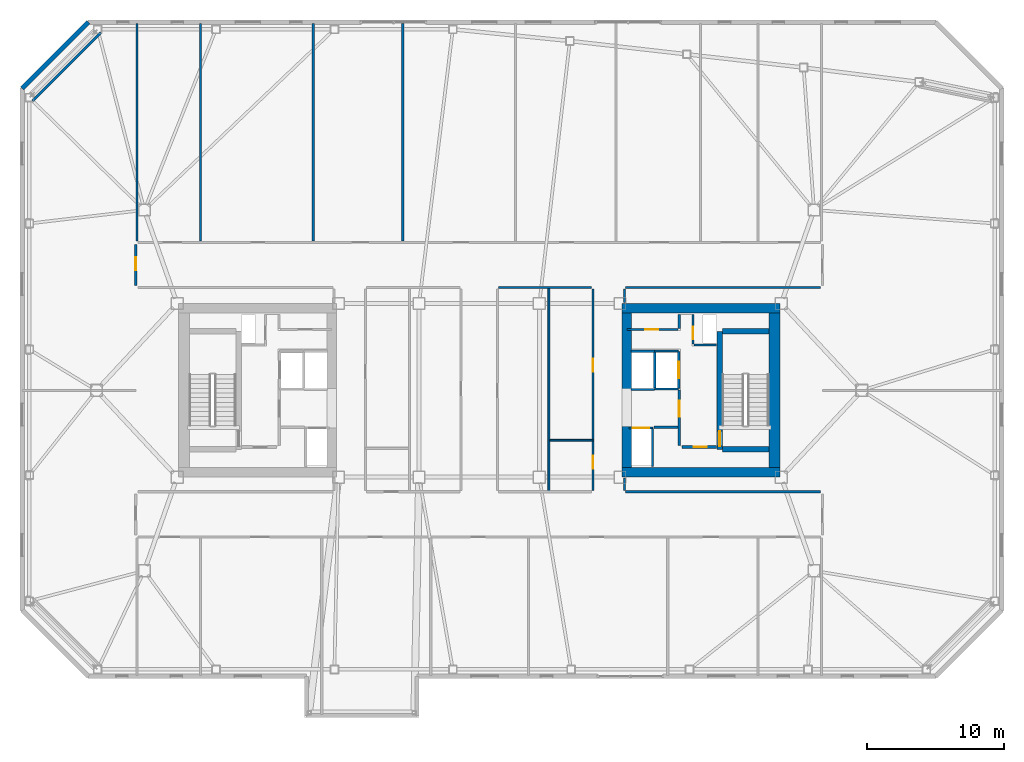
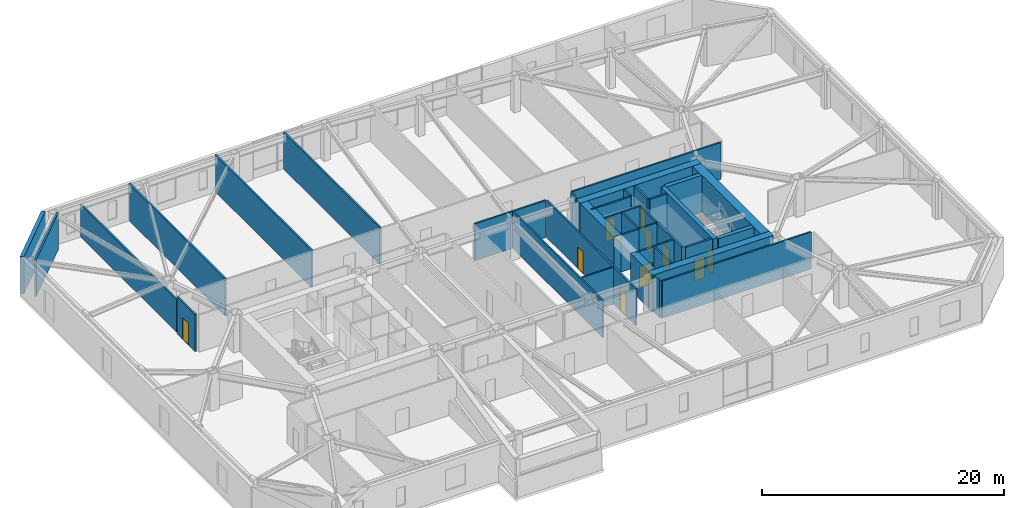
# One storey, part 11 of 17: 38 walls, 10 doors, 10 openings.
"""IFC4 building model written with IfcOpenShell, lengths in metres."""

from ifc_helpers import new_model, si_unit, direction, frame, frame_2d, origin, place, context, subcontext, project, spatial, rectangle, extrude, material, layer, layer_set, type_object, element, fill, save


model = new_model("IFC4")

# Units and contexts
model_context = context("Model", 3, precision=1e-05, world=origin(), true_north=direction((0.0, 1.0)))
body_context = subcontext(model_context, "Body", "Model", "MODEL_VIEW")
ifc_project = project(units=[si_unit("LENGTHUNIT", "METRE"), si_unit("AREAUNIT", "SQUARE_METRE"), si_unit("VOLUMEUNIT", "CUBIC_METRE"), si_unit("PLANEANGLEUNIT", "RADIAN"), si_unit("MASSUNIT", "GRAM", prefix="KILO")], contexts=[model_context])

# Site, building, storey
site_placement = place(None, origin())
site = spatial("IfcSite", under=ifc_project, at=site_placement, CompositionType="ELEMENT")
building_placement = place(site_placement, origin())
building = spatial("IfcBuilding", under=site, at=building_placement, Name="Tavrogorsk Clinical Tower", CompositionType="ELEMENT")
storey_placement = place(building_placement, frame((0.0, 0.0, 160.199951171875)))
storey = spatial("IfcBuildingStorey", under=building, at=storey_placement, Name="L36", CompositionType="ELEMENT", Elevation=160.199951171875)

# Wall, opening, door
ifc_material_1 = material(Name="Concrete B60", Category="concrete")
ifc_layer_1 = layer(ifc_material_1, 0.199951171875)
ifc_layer_set_1 = layer_set([ifc_layer_1], Name="Concrete B60")
wall_type_1 = type_object("IfcWallType", Name="CoreFireWall_200", PredefinedType="SOLIDWALL", material=ifc_layer_set_1)
wall_1_placement = place(storey_placement, frame((14.824951171875, -4.139892578125, 0.0), z_axis=(0.0, 0.0, 1.0), x_axis=(1.0, 0.0, 0.0)))
wall_1 = element("IfcWall", 1, at=wall_1_placement, inside=storey, type_object=wall_type_1, Name="L36 Core East South Core Room Fire Wall", PredefinedType="SOLIDWALL", context=body_context, shape_type="SweptSolid", body=[
    extrude(rectangle(XDim=2.554931640625, YDim=0.199951171875, at=frame_2d((1.27734375, 0.0))), origin(), (0.0, 0.0, 1.0), 3.739990234375),
])
opening_1_placement = place(wall_1_placement, frame((0.8798828125, 0.0, 0.0)))
opening_1 = element("IfcOpeningElement", 2, at=opening_1_placement, cuts=wall_1, Name="Opening ID-02", PredefinedType="OPENING", context=body_context, shape_type="SweptSolid", body=[
    extrude(rectangle(XDim=0.949951171875, YDim=2.199951171875, at=frame_2d((0.47509765625, 1.10009765625))), frame((0.0, 0.10986328125, 0.0), z_axis=(0.0, -1.0, 0.0), x_axis=(1.0, 0.0, 0.0)), (0.0, 0.0, 1.0), 0.219970703125),
])
ifc_material_2 = material(Name="Laminated timber leaf on aluminium frame", Category="wood")
door_type_1 = type_object("IfcDoorType", Name="InteriorDoor_ID02_950", OperationType="NOTDEFINED", PredefinedType="DOOR", material=ifc_material_2)
door_1_placement = place(opening_1_placement, origin())
door_1 = element("IfcDoor", 3, at=door_1_placement, inside=storey, type_object=door_type_1, Name="L36 Core East South Core Room Door", OperationType="SINGLE_SWING_RIGHT", OverallHeight=2.199951171875, OverallWidth=0.949951171875, PredefinedType="DOOR", context=body_context, shape_type="SweptSolid", body=[
    extrude(rectangle(XDim=0.949951171875, YDim=2.199951171875, at=frame_2d((0.47509765625, 1.10009765625))), frame((0.0, 0.02490234375, 0.0), z_axis=(0.0, -1.0, 0.0), x_axis=(1.0, 0.0, 0.0)), (0.0, 0.0, 1.0), 0.050048828125),
])
fill(opening_1, door_1)

wall_2_placement = place(storey_placement, frame((14.639892578125, -4.034912109375, 0.0), z_axis=(0.0, 0.0, 1.0), x_axis=(0.0, 1.0, 0.0)))
wall_2 = element("IfcWall", 4, at=wall_2_placement, inside=storey, type_object=wall_type_1, Name="L36 Core East Firefighting Lobby Fire Wall", PredefinedType="SOLIDWALL", context=body_context, shape_type="SweptSolid", body=[
    extrude(rectangle(XDim=4.074951171875, YDim=0.199951171875, at=frame_2d((2.03759765625, 0.0))), origin(), (0.0, 0.0, 1.0), 3.739990234375),
])
opening_2_placement = place(wall_2_placement, frame((2.090087890625, 0.0, 0.0)))
opening_2 = element("IfcOpeningElement", 5, at=opening_2_placement, cuts=wall_2, Name="Opening FD-01", PredefinedType="OPENING", context=body_context, shape_type="SweptSolid", body=[
    extrude(rectangle(XDim=1.199951171875, YDim=2.199951171875, at=frame_2d((0.60009765625, 1.10009765625))), frame((0.0, 0.10986328125, 0.0), z_axis=(0.0, -1.0, 0.0), x_axis=(1.0, 0.0, 0.0)), (0.0, 0.0, 1.0), 0.219970703125),
])
ifc_material_3 = material(Name="Galvanised steel fire-rated door assembly", Category="steel")
door_type_2 = type_object("IfcDoorType", Name="FireDoor_FD01_1200", OperationType="NOTDEFINED", PredefinedType="DOOR", material=ifc_material_3)
door_2_placement = place(opening_2_placement, origin())
door_2 = element("IfcDoor", 6, at=door_2_placement, inside=storey, type_object=door_type_2, Name="L36 Core East Firefighting Lobby Entry Door", OperationType="SINGLE_SWING_RIGHT", OverallHeight=2.199951171875, OverallWidth=1.199951171875, PredefinedType="DOOR", context=body_context, shape_type="SweptSolid", body=[
    extrude(rectangle(XDim=1.199951171875, YDim=2.199951171875, at=frame_2d((0.60009765625, 1.10009765625))), frame((0.0, 0.02490234375, 0.0), z_axis=(0.0, -1.0, 0.0), x_axis=(1.0, 0.0, 0.0)), (0.0, 0.0, 1.0), 0.050048828125),
])
fill(opening_2, door_2)

# Walls
ifc_material_4 = material(Name="Lightweight concrete blockwork B15", Category="masonry")
ifc_layer_2 = layer(ifc_material_4, 0.139892578125)
ifc_layer_set_2 = layer_set([ifc_layer_2], Name="Lightweight concrete blockwork B15")
wall_type_2 = type_object("IfcWallType", Name="PartitionWall_140", PredefinedType="PARTITIONING", material=ifc_layer_set_2)
wall_3_placement = place(storey_placement, frame((5.10009765625, -7.4150390625, 0.0), z_axis=(0.0, 0.0, 1.0), x_axis=(0.0, 1.0, 0.0)))
element("IfcWall", 7, at=wall_3_placement, inside=storey, type_object=wall_type_2, Name="L36 Central Spine Partition 2", PredefinedType="PARTITIONING", context=body_context, shape_type="SweptSolid", body=[
    extrude(rectangle(XDim=14.929931640625, YDim=0.139892578125, at=frame_2d((7.46484375, 0.0))), origin(), (0.0, 0.0, 1.0), 3.739990234375),
])
wall_4_placement = place(storey_placement, frame((5.175048828125, -3.64990234375, 0.0), z_axis=(0.0, 0.0, 1.0), x_axis=(1.0, 0.0, 0.0)))
element("IfcWall", 8, at=wall_4_placement, inside=storey, type_object=wall_type_2, Name="L36 Central Spine Partition 4", PredefinedType="PARTITIONING", context=body_context, shape_type="SweptSolid", body=[
    extrude(rectangle(XDim=3.139892578125, YDim=0.139892578125, at=frame_2d((1.56982421875, 0.0))), origin(), (0.0, 0.0, 1.0), 3.739990234375),
])
ifc_material_5 = material(Name="Lightweight concrete blockwork B15", Category="masonry")
ifc_layer_3 = layer(ifc_material_5, 0.159912109375)
ifc_layer_set_3 = layer_set([ifc_layer_3], Name="Lightweight concrete blockwork B15")
wall_type_3 = type_object("IfcWallType", Name="PartitionWall_160", PredefinedType="PARTITIONING", material=ifc_layer_set_3)
wall_5_placement = place(storey_placement, frame((12.77490234375, -2.699951171875, 0.0), z_axis=(0.0, 0.0, 1.0), x_axis=(1.0, 0.0, 0.0)))
element("IfcWall", 9, at=wall_5_placement, inside=storey, type_object=wall_type_3, Name="L36 Core East Freed Low-Bank North Partition", PredefinedType="PARTITIONING", context=body_context, shape_type="SweptSolid", body=[
    extrude(rectangle(XDim=1.760009765625, YDim=0.159912109375, at=frame_2d((0.8798828125, 0.0))), origin(), (0.0, 0.0, 1.0), 3.739990234375),
])

# Wall, opening, door
wall_6_placement = place(storey_placement, frame((10.800048828125, 4.4599609375, 0.0), z_axis=(0.0, 0.0, 1.0), x_axis=(1.0, 0.0, 0.0)))
wall_6 = element("IfcWall", 10, at=wall_6_placement, inside=storey, type_object=wall_type_3, Name="L36 Core East Pneumatic Dispatch South Wall", PredefinedType="PARTITIONING", context=body_context, shape_type="SweptSolid", body=[
    extrude(rectangle(XDim=3.7548828125, YDim=0.159912109375, at=frame_2d((1.87744140625, 0.0))), origin(), (0.0, 0.0, 1.0), 3.739990234375),
])
opening_3_placement = place(wall_6_placement, frame((1.35009765625, 0.0, 0.0)))
opening_3 = element("IfcOpeningElement", 11, at=opening_3_placement, cuts=wall_6, Name="Opening ID-02", PredefinedType="OPENING", context=body_context, shape_type="SweptSolid", body=[
    extrude(rectangle(XDim=0.949951171875, YDim=2.199951171875, at=frame_2d((0.47509765625, 1.10009765625))), frame((0.0, 0.08984375, 0.0), z_axis=(0.0, -1.0, 0.0), x_axis=(1.0, 0.0, 0.0)), (0.0, 0.0, 1.0), 0.179931640625),
])
door_3_placement = place(opening_3_placement, origin())
door_3 = element("IfcDoor", 12, at=door_3_placement, inside=storey, type_object=door_type_1, Name="L36 Core East Pneumatic Dispatch Door", OperationType="SINGLE_SWING_LEFT", OverallHeight=2.199951171875, OverallWidth=0.949951171875, PredefinedType="DOOR", context=body_context, shape_type="SweptSolid", body=[
    extrude(rectangle(XDim=0.949951171875, YDim=2.199951171875, at=frame_2d((0.47509765625, 1.10009765625))), frame((0.0, 0.02490234375, 0.0), z_axis=(0.0, -1.0, 0.0), x_axis=(1.0, 0.0, 0.0)), (0.0, 0.0, 1.0), 0.050048828125),
])
fill(opening_3, door_3)

# Walls
wall_7_placement = place(storey_placement, frame((14.639892578125, 4.544921875, 0.0), z_axis=(0.0, 0.0, 1.0), x_axis=(0.0, 1.0, 0.0)))
element("IfcWall", 13, at=wall_7_placement, inside=storey, type_object=wall_type_3, Name="L36 Core East Pneumatic Dispatch East Wall", PredefinedType="PARTITIONING", context=body_context, shape_type="SweptSolid", body=[
    extrude(rectangle(XDim=1.01513671875, YDim=0.159912109375, at=frame_2d((0.507568359375, 0.0))), origin(), (0.0, 0.0, 1.0), 3.739990234375),
])
wall_8_placement = place(storey_placement, frame((-27.6796875, 26.1796875, 0.0), z_axis=(0.0, 0.0, 1.0), x_axis=(-0.707106781187, -0.707106781187, 0.0)))
element("IfcWall", 14, at=wall_8_placement, inside=storey, type_object=wall_type_3, Name="L36 Corner Exoskeleton Brace Furring Wall 3", PredefinedType="PARTITIONING", context=body_context, shape_type="SweptSolid", body=[
    extrude(rectangle(XDim=7.071044921875, YDim=0.159912109375, at=frame_2d((3.53564453125, 0.0))), origin(), (0.0, 0.0, 1.0), 3.739990234375),
])

# Wall, opening, door
wall_9_placement = place(storey_placement, frame((-25.1298828125, 7.68505859375, 0.0), z_axis=(0.0, 0.0, 1.0), x_axis=(0.0, 1.0, 0.0)))
wall_9 = element("IfcWall", 15, at=wall_9_placement, inside=storey, type_object=wall_type_3, Name="L36 Corridor Partition 06", PredefinedType="PARTITIONING", context=body_context, shape_type="SweptSolid", body=[
    extrude(rectangle(XDim=2.97998046875, YDim=0.159912109375, at=frame_2d((1.489990234375, 0.0))), origin(), (0.0, 0.0, 1.0), 3.739990234375),
])
opening_4_placement = place(wall_9_placement, frame((1.10009765625, 0.0, 0.0)))
opening_4 = element("IfcOpeningElement", 16, at=opening_4_placement, cuts=wall_9, Name="Opening ID-02", PredefinedType="OPENING", context=body_context, shape_type="SweptSolid", body=[
    extrude(rectangle(XDim=0.949951171875, YDim=2.199951171875, at=frame_2d((0.47509765625, 1.10009765625))), frame((0.0, 0.08984375, 0.0), z_axis=(0.0, -1.0, 0.0), x_axis=(1.0, 0.0, 0.0)), (0.0, 0.0, 1.0), 0.179931640625),
])
door_4_placement = place(opening_4_placement, origin())
door_4 = element("IfcDoor", 17, at=door_4_placement, inside=storey, type_object=door_type_1, Name="L36 W Rehabilitation Therapy Suite 2 Door", OperationType="SINGLE_SWING_LEFT", OverallHeight=2.199951171875, OverallWidth=0.949951171875, PredefinedType="DOOR", context=body_context, shape_type="SweptSolid", body=[
    extrude(rectangle(XDim=0.949951171875, YDim=2.199951171875, at=frame_2d((0.47509765625, 1.10009765625))), frame((0.0, 0.02490234375, 0.0), z_axis=(0.0, -1.0, 0.0), x_axis=(1.0, 0.0, 0.0)), (0.0, 0.0, 1.0), 0.050048828125),
])
fill(opening_4, door_4)

# Walls
wall_10_placement = place(storey_placement, frame((24.965087890625, 7.52001953125, 0.0), z_axis=(0.0, 0.0, 1.0), x_axis=(-1.0, 0.0, 0.0)))
element("IfcWall", 18, at=wall_10_placement, inside=storey, type_object=wall_type_3, Name="L36 Corridor Partition 09", PredefinedType="PARTITIONING", context=body_context, shape_type="SweptSolid", body=[
    extrude(rectangle(XDim=14.25, YDim=0.159912109375, at=frame_2d((7.125, 0.0))), origin(), (0.0, 0.0, 1.0), 3.739990234375),
])
wall_11_placement = place(storey_placement, frame((10.6298828125, 7.43505859375, 0.0), z_axis=(0.0, 0.0, 1.0), x_axis=(0.0, -1.0, 0.0)))
element("IfcWall", 19, at=wall_11_placement, inside=storey, type_object=wall_type_3, Name="L36 Corridor Partition 10", PredefinedType="PARTITIONING", context=body_context, shape_type="SweptSolid", body=[
    extrude(rectangle(XDim=1.01513671875, YDim=0.159912109375, at=frame_2d((0.507568359375, 0.0))), origin(), (0.0, 0.0, 1.0), 3.739990234375),
])
wall_12_placement = place(storey_placement, frame((10.6298828125, -6.419921875, 0.0), z_axis=(0.0, 0.0, 1.0), x_axis=(0.0, -1.0, 0.0)))
element("IfcWall", 20, at=wall_12_placement, inside=storey, type_object=wall_type_3, Name="L36 Corridor Partition 11", PredefinedType="PARTITIONING", context=body_context, shape_type="SweptSolid", body=[
    extrude(rectangle(XDim=0.9150390625, YDim=0.159912109375, at=frame_2d((0.45751953125, 0.0))), origin(), (0.0, 0.0, 1.0), 3.739990234375),
])
wall_13_placement = place(storey_placement, frame((10.715087890625, -7.419921875, 0.0), z_axis=(0.0, 0.0, 1.0), x_axis=(1.0, 0.0, 0.0)))
element("IfcWall", 21, at=wall_13_placement, inside=storey, type_object=wall_type_3, Name="L36 Corridor Partition 12", PredefinedType="PARTITIONING", context=body_context, shape_type="SweptSolid", body=[
    extrude(rectangle(XDim=14.25, YDim=0.159912109375, at=frame_2d((7.125, 0.0))), origin(), (0.0, 0.0, 1.0), 3.739990234375),
])
wall_14_placement = place(storey_placement, frame((8.235107421875, 7.52001953125, 0.0), z_axis=(0.0, 0.0, 1.0), x_axis=(-1.0, 0.0, 0.0)))
element("IfcWall", 22, at=wall_14_placement, inside=storey, type_object=wall_type_3, Name="L36 Corridor Partition 15", PredefinedType="PARTITIONING", context=body_context, shape_type="SweptSolid", body=[
    extrude(rectangle(XDim=6.820068359375, YDim=0.159912109375, at=frame_2d((3.41015625, 0.0))), origin(), (0.0, 0.0, 1.0), 3.739990234375),
])

# Wall, openings, doors
wall_15_placement = place(storey_placement, frame((8.320068359375, -7.3349609375, 0.0), z_axis=(0.0, 0.0, 1.0), x_axis=(0.0, 1.0, 0.0)))
wall_15 = element("IfcWall", 23, at=wall_15_placement, inside=storey, type_object=wall_type_3, Name="L36 Corridor Partition 18", PredefinedType="PARTITIONING", context=body_context, shape_type="SweptSolid", body=[
    extrude(rectangle(XDim=14.77001953125, YDim=0.159912109375, at=frame_2d((7.385009765625, 0.0))), origin(), (0.0, 0.0, 1.0), 3.739990234375),
])
opening_5_placement = place(wall_15_placement, frame((1.60400390625, 0.0, 0.0)))
opening_5 = element("IfcOpeningElement", 24, at=opening_5_placement, cuts=wall_15, Name="Opening ID-02", PredefinedType="OPENING", context=body_context, shape_type="SweptSolid", body=[
    extrude(rectangle(XDim=0.949951171875, YDim=2.199951171875, at=frame_2d((0.47509765625, 1.10009765625))), frame((0.0, 0.08984375, 0.0), z_axis=(0.0, -1.0, 0.0), x_axis=(1.0, 0.0, 0.0)), (0.0, 0.0, 1.0), 0.179931640625),
])
opening_6_placement = place(wall_15_placement, frame((8.685791015625, 0.0, 0.0)))
opening_6 = element("IfcOpeningElement", 25, at=opening_6_placement, cuts=wall_15, Name="Opening ID-02", PredefinedType="OPENING", context=body_context, shape_type="SweptSolid", body=[
    extrude(rectangle(XDim=0.949951171875, YDim=2.199951171875, at=frame_2d((0.47509765625, 1.10009765625))), frame((0.0, 0.08984375, 0.0), z_axis=(0.0, -1.0, 0.0), x_axis=(1.0, 0.0, 0.0)), (0.0, 0.0, 1.0), 0.179931640625),
])
door_5_placement = place(opening_5_placement, origin())
door_5 = element("IfcDoor", 26, at=door_5_placement, inside=storey, type_object=door_type_1, Name="L36 Staff & Visitor Accessible WC Door", OperationType="SINGLE_SWING_RIGHT", OverallHeight=2.199951171875, OverallWidth=0.949951171875, PredefinedType="DOOR", context=body_context, shape_type="SweptSolid", body=[
    extrude(rectangle(XDim=0.949951171875, YDim=2.199951171875, at=frame_2d((0.47509765625, 1.10009765625))), frame((0.0, 0.02490234375, 0.0), z_axis=(0.0, -1.0, 0.0), x_axis=(1.0, 0.0, 0.0)), (0.0, 0.0, 1.0), 0.050048828125),
])
fill(opening_5, door_5)
door_6_placement = place(opening_6_placement, origin())
door_6 = element("IfcDoor", 27, at=door_6_placement, inside=storey, type_object=door_type_1, Name="L36 Resident Clinician Study Door", OperationType="SINGLE_SWING_LEFT", OverallHeight=2.199951171875, OverallWidth=0.949951171875, PredefinedType="DOOR", context=body_context, shape_type="SweptSolid", body=[
    extrude(rectangle(XDim=0.949951171875, YDim=2.199951171875, at=frame_2d((0.47509765625, 1.10009765625))), frame((0.0, 0.02490234375, 0.0), z_axis=(0.0, -1.0, 0.0), x_axis=(1.0, 0.0, 0.0)), (0.0, 0.0, 1.0), 0.050048828125),
])
fill(opening_6, door_6)

# Walls
wall_16_placement = place(storey_placement, frame((-25.050048828125, 10.9150390625, 0.0), z_axis=(0.0, 0.0, 1.0), x_axis=(0.0, 1.0, 0.0)))
element("IfcWall", 28, at=wall_16_placement, inside=storey, type_object=wall_type_3, Name="L36 NW Wing Closure Partition", PredefinedType="PARTITIONING", context=body_context, shape_type="SweptSolid", body=[
    extrude(rectangle(XDim=15.945068359375, YDim=0.159912109375, at=frame_2d((7.97265625, 0.0))), origin(), (0.0, 0.0, 1.0), 3.28515625),
])
for number, where, z_axis, x_axis, name in (
    (29, (-20.39990234375, 10.9150390625, 0.0), (0.0, 0.0, 1.0), (0.0, 1.0, 0.0), "L36 North Room Partition 1"),
    (30, (-5.60009765625, 10.9150390625, 0.0), (0.0, 0.0, 1.0), (0.0, 1.0, 0.0), "L36 North Room Partition 2"),
    (31, (-12.139892578125, 10.9150390625, 0.0), (0.0, 0.0, 1.0), (0.0, 1.0, 0.0), "L36 North Sub-Partition 2"),
):
    element("IfcWall", number, at=place(storey_placement, frame(where, z_axis=z_axis, x_axis=x_axis)), inside=storey, type_object=wall_type_3, Name=name, PredefinedType="PARTITIONING", context=body_context, shape_type="SweptSolid", body=[
        extrude(rectangle(XDim=15.945068359375, YDim=0.159912109375, at=frame_2d((7.97265625, 0.0))), origin(), (0.0, 0.0, 1.0), 3.739990234375),
    ])
ifc_material_6 = material(Name="Precast concrete B45 with limestone cladding", Category="masonry")
ifc_layer_4 = layer(ifc_material_6, 0.340087890625)
ifc_layer_set_4 = layer_set([ifc_layer_4], Name="Precast concrete B45 with limestone cladding")
wall_type_4 = type_object("IfcWallType", Name="PrecastLimestoneWall_340", PredefinedType="STANDARD", material=ifc_layer_set_4)
wall_17_placement = place(storey_placement, frame((-28.60009765625, 26.929931640625, 0.0), z_axis=(0.0, 0.0, 1.0), x_axis=(-0.707106781187, -0.707106781187, 0.0)))
element("IfcWall", 32, at=wall_17_placement, inside=storey, type_object=wall_type_4, Name="L36 Chamfered Corner Wall 3", PredefinedType="STANDARD", context=body_context, shape_type="SweptSolid", body=[
    extrude(rectangle(XDim=6.830322265625, YDim=0.340087890625, at=frame_2d((3.4150390625, 0.0))), origin(), (0.0, 0.0, 1.0), 3.739990234375),
])

# Wall, opening, door
ifc_material_7 = material(Name="Lightweight concrete blockwork B25", Category="masonry")
ifc_layer_5 = layer(ifc_material_7, 0.159912109375)
ifc_layer_set_5 = layer_set([ifc_layer_5], Name="Lightweight concrete blockwork B25")
wall_type_5 = type_object("IfcWallType", Name="ShaftWall_160", PredefinedType="PARTITIONING", material=ifc_layer_set_5)
wall_18_placement = place(storey_placement, frame((14.60009765625, 0.1201171875, 0.0), z_axis=(0.0, 0.0, 1.0), x_axis=(0.0, 1.0, 0.0)))
wall_18 = element("IfcWall", 33, at=wall_18_placement, inside=storey, type_object=wall_type_5, Name="L36 FFL-E Firefighting Lift Front Wall", PredefinedType="PARTITIONING", context=body_context, shape_type="SweptSolid", body=[
    extrude(rectangle(XDim=2.739990234375, YDim=0.159912109375, at=frame_2d((1.3701171875, 0.0))), origin(), (0.0, 0.0, 1.0), 3.739990234375),
])
opening_7_placement = place(wall_18_placement, frame((0.77001953125, 0.0, 0.0)))
opening_7 = element("IfcOpeningElement", 34, at=opening_7_placement, cuts=wall_18, Name="Opening LD", PredefinedType="OPENING", context=body_context, shape_type="SweptSolid", body=[
    extrude(rectangle(XDim=1.199951171875, YDim=2.199951171875, at=frame_2d((0.60009765625, 1.10009765625))), frame((0.0, 0.08984375, 0.0), z_axis=(0.0, -1.0, 0.0), x_axis=(1.0, 0.0, 0.0)), (0.0, 0.0, 1.0), 0.179931640625),
])
ifc_material_8 = material(Name="Brushed stainless steel AISI 304 sliding doors", Category="steel")
door_type_3 = type_object("IfcDoorType", Name="LiftLandingDoor_LD_1200", OperationType="SLIDING_TO_LEFT", PredefinedType="DOOR", material=ifc_material_8)
door_7_placement = place(opening_7_placement, origin())
door_7 = element("IfcDoor", 35, at=door_7_placement, inside=storey, type_object=door_type_3, Name="L36 FFL-E Sliding Lift Landing Door", OperationType="SLIDING_TO_LEFT", OverallHeight=2.199951171875, OverallWidth=1.199951171875, PredefinedType="DOOR", context=body_context, shape_type="SweptSolid", body=[
    extrude(rectangle(XDim=1.199951171875, YDim=2.199951171875, at=frame_2d((0.60009765625, 1.10009765625))), frame((0.0, 0.02490234375, 0.0), z_axis=(0.0, -1.0, 0.0), x_axis=(1.0, 0.0, 0.0)), (0.0, 0.0, 1.0), 0.050048828125),
])
fill(opening_7, door_7)

# Walls
for number, where, z_axis, x_axis, name in (
    (36, (12.840087890625, 0.10009765625, 0.0), (0.0, 0.0, 1.0), (1.0, 0.0, 0.0), "L36 FFL-E Shaft South Wall"),
    (37, (12.840087890625, 2.8798828125, 0.0), (0.0, 0.0, 1.0), (1.0, 0.0, 0.0), "L36 FFL-E Shaft North Wall"),
):
    element("IfcWall", number, at=place(storey_placement, frame(where, z_axis=z_axis, x_axis=x_axis)), inside=storey, type_object=wall_type_5, Name=name, PredefinedType="PARTITIONING", context=body_context, shape_type="SweptSolid", body=[
        extrude(rectangle(XDim=1.760009765625, YDim=0.159912109375, at=frame_2d((0.8798828125, 0.0))), origin(), (0.0, 0.0, 1.0), 3.739990234375),
    ])
wall_19_placement = place(storey_placement, frame((12.840087890625, 0.179931640625, 0.0), z_axis=(0.0, 0.0, 1.0), x_axis=(0.0, 1.0, 0.0)))
element("IfcWall", 38, at=wall_19_placement, inside=storey, type_object=wall_type_5, Name="L36 FFL-E Shaft Back Wall", PredefinedType="PARTITIONING", context=body_context, shape_type="SweptSolid", body=[
    extrude(rectangle(XDim=2.6201171875, YDim=0.159912109375, at=frame_2d((1.31005859375, 0.0))), origin(), (0.0, 0.0, 1.0), 3.739990234375),
])

# Wall, opening, door
wall_20_placement = place(storey_placement, frame((10.969970703125, -2.75, 0.0), z_axis=(0.0, 0.0, 1.0), x_axis=(1.0, 0.0, 0.0)))
wall_20 = element("IfcWall", 39, at=wall_20_placement, inside=storey, type_object=wall_type_5, Name="L36 LP-M2 Lift Shaft Portal Wall", PredefinedType="PARTITIONING", context=body_context, shape_type="SweptSolid", body=[
    extrude(rectangle(XDim=1.760009765625, YDim=0.159912109375, at=frame_2d((0.8798828125, 0.0))), origin(), (0.0, 0.0, 1.0), 3.739990234375),
])
opening_8_placement = place(wall_20_placement, frame((0.280029296875, 0.0, 0.0)))
opening_8 = element("IfcOpeningElement", 40, at=opening_8_placement, cuts=wall_20, Name="Opening LD", PredefinedType="OPENING", context=body_context, shape_type="SweptSolid", body=[
    extrude(rectangle(XDim=1.199951171875, YDim=2.199951171875, at=frame_2d((0.60009765625, 1.10009765625))), frame((0.0, 0.08984375, 0.0), z_axis=(0.0, -1.0, 0.0), x_axis=(1.0, 0.0, 0.0)), (0.0, 0.0, 1.0), 0.179931640625),
])
door_8_placement = place(opening_8_placement, origin())
door_8 = element("IfcDoor", 41, at=door_8_placement, inside=storey, type_object=door_type_3, Name="L36 LP-M2 Sliding Lift Landing Door", OperationType="SLIDING_TO_LEFT", OverallHeight=2.199951171875, OverallWidth=1.199951171875, PredefinedType="DOOR", context=body_context, shape_type="SweptSolid", body=[
    extrude(rectangle(XDim=1.199951171875, YDim=2.199951171875, at=frame_2d((0.60009765625, 1.10009765625))), frame((0.0, 0.02490234375, 0.0), z_axis=(0.0, -1.0, 0.0), x_axis=(1.0, 0.0, 0.0)), (0.0, 0.0, 1.0), 0.050048828125),
])
fill(opening_8, door_8)

# Walls
for number, where, z_axis, x_axis, name in (
    (42, (11.10009765625, 0.06005859375, 0.0), (0.0, 0.0, 1.0), (1.0, 0.0, 0.0), "L36 LP-H2 High-Zone Lift Portal Wall"),
    (43, (11.10009765625, 2.860107421875, 0.0), (0.0, 0.0, 1.0), (1.0, 0.0, 0.0), "L36 LP-H2 High-Zone Lift Rear Wall"),
):
    element("IfcWall", number, at=place(storey_placement, frame(where, z_axis=z_axis, x_axis=x_axis)), inside=storey, type_object=wall_type_5, Name=name, PredefinedType="PARTITIONING", context=body_context, shape_type="SweptSolid", body=[
        extrude(rectangle(XDim=1.719970703125, YDim=0.159912109375, at=frame_2d((0.85986328125, 0.0))), origin(), (0.0, 0.0, 1.0), 3.739990234375),
    ])

# Wall, opening, door
wall_21_placement = place(storey_placement, frame((15.639892578125, 3.405029296875, 0.0), z_axis=(0.0, 0.0, 1.0), x_axis=(0.0, 1.0, 0.0)))
wall_21 = element("IfcWall", 44, at=wall_21_placement, inside=storey, type_object=wall_type_5, Name="L36 Core East Riser West Wall", PredefinedType="PARTITIONING", context=body_context, shape_type="SweptSolid", body=[
    extrude(rectangle(XDim=2.155029296875, YDim=0.159912109375, at=frame_2d((1.07763671875, 0.0))), origin(), (0.0, 0.0, 1.0), 3.739990234375),
])
opening_9_placement = place(wall_21_placement, frame((0.35009765625, 0.0, 0.0)))
opening_9 = element("IfcOpeningElement", 45, at=opening_9_placement, cuts=wall_21, Name="Opening FD-02", PredefinedType="OPENING", context=body_context, shape_type="SweptSolid", body=[
    extrude(rectangle(XDim=0.89990234375, YDim=2.199951171875, at=frame_2d((0.449951171875, 1.10009765625))), frame((0.0, 0.08984375, 0.0), z_axis=(0.0, -1.0, 0.0), x_axis=(1.0, 0.0, 0.0)), (0.0, 0.0, 1.0), 0.179931640625),
])
ifc_material_9 = material(Name="Galvanised steel fire-rated door assembly", Category="steel")
door_type_4 = type_object("IfcDoorType", Name="FireDoor_FD02_900", OperationType="NOTDEFINED", PredefinedType="DOOR", material=ifc_material_9)
door_9_placement = place(opening_9_placement, origin())
door_9 = element("IfcDoor", 46, at=door_9_placement, inside=storey, type_object=door_type_4, Name="L36 Core East Electrical Riser Access Door", OperationType="SINGLE_SWING_LEFT", OverallHeight=2.199951171875, OverallWidth=0.89990234375, PredefinedType="DOOR", context=body_context, shape_type="SweptSolid", body=[
    extrude(rectangle(XDim=0.89990234375, YDim=2.199951171875, at=frame_2d((0.449951171875, 1.10009765625))), frame((0.0, 0.02490234375, 0.0), z_axis=(0.0, -1.0, 0.0), x_axis=(1.0, 0.0, 0.0)), (0.0, 0.0, 1.0), 0.050048828125),
])
fill(opening_9, door_9)

# Walls
wall_22_placement = place(storey_placement, frame((15.72509765625, 3.320068359375, 0.0), z_axis=(0.0, 0.0, 1.0), x_axis=(1.0, 0.0, 0.0)))
element("IfcWall", 47, at=wall_22_placement, inside=storey, type_object=wall_type_5, Name="L36 Core East Riser South Wall", PredefinedType="PARTITIONING", context=body_context, shape_type="SweptSolid", body=[
    extrude(rectangle(XDim=1.65478515625, YDim=0.159912109375, at=frame_2d((0.827392578125, 0.0))), origin(), (0.0, 0.0, 1.0), 3.739990234375),
])
wall_23_placement = place(storey_placement, frame((12.68994140625, -5.56005859375, 0.0), z_axis=(0.0, 0.0, 1.0), x_axis=(0.0, 1.0, 0.0)))
element("IfcWall", 48, at=wall_23_placement, inside=storey, type_object=wall_type_5, Name="L36 Core East Freed Low-Bank Shaft Divider", PredefinedType="PARTITIONING", context=body_context, shape_type="SweptSolid", body=[
    extrude(rectangle(XDim=2.775146484375, YDim=0.159912109375, at=frame_2d((1.3876953125, 0.0))), origin(), (0.0, 0.0, 1.0), 3.739990234375),
])

# Wall, opening, door
ifc_material_10 = material(Name="Concrete B80", Category="concrete")
ifc_layer_6 = layer(ifc_material_10, 0.39990234375)
ifc_layer_set_6 = layer_set([ifc_layer_6], Name="Concrete B80")
wall_type_6 = type_object("IfcWallType", Name="ShearWall_400", PredefinedType="SHEAR", material=ifc_layer_set_6)
wall_24_placement = place(storey_placement, frame((17.60009765625, -4.324951171875, 0.0), z_axis=(0.0, 0.0, 1.0), x_axis=(0.0, 1.0, 0.0)))
wall_24 = element("IfcWall", 49, at=wall_24_placement, inside=storey, type_object=wall_type_6, Name="L36 Core East Stair Shaft Inner Shear Wall", PredefinedType="SHEAR", context=body_context, shape_type="SweptSolid", body=[
    extrude(rectangle(XDim=8.64990234375, YDim=0.39990234375, at=frame_2d((4.324951171875, 0.0))), origin(), (0.0, 0.0, 1.0), 3.739990234375),
])
opening_10_placement = place(wall_24_placement, frame((0.25, 0.0, 0.0)))
opening_10 = element("IfcOpeningElement", 50, at=opening_10_placement, cuts=wall_24, Name="Opening SD-01", PredefinedType="OPENING", context=body_context, shape_type="SweptSolid", body=[
    extrude(rectangle(XDim=1.10009765625, YDim=2.199951171875, at=frame_2d((0.550048828125, 1.10009765625))), frame((0.0, 0.2099609375, 0.0), z_axis=(0.0, -1.0, 0.0), x_axis=(1.0, 0.0, 0.0)), (0.0, 0.0, 1.0), 0.419921875),
])
ifc_material_11 = material(Name="Galvanised steel smoke-tight fire door assembly", Category="steel")
door_type_5 = type_object("IfcDoorType", Name="StairFireDoor_SD01_1100", OperationType="NOTDEFINED", PredefinedType="DOOR", material=ifc_material_11)
door_10_placement = place(opening_10_placement, origin())
door_10 = element("IfcDoor", 51, at=door_10_placement, inside=storey, type_object=door_type_5, Name="L36 ST-E Exit Stair Door", OperationType="SINGLE_SWING_RIGHT", OverallHeight=2.199951171875, OverallWidth=1.10009765625, PredefinedType="DOOR", context=body_context, shape_type="SweptSolid", body=[
    extrude(rectangle(XDim=1.10009765625, YDim=2.199951171875, at=frame_2d((0.550048828125, 1.10009765625))), frame((0.0, 0.02490234375, 0.0), z_axis=(0.0, -1.0, 0.0), x_axis=(1.0, 0.0, 0.0)), (0.0, 0.0, 1.0), 0.050048828125),
])
fill(opening_10, door_10)

# Walls
for number, where, z_axis, x_axis, name in (
    (52, (17.800048828125, -4.324951171875, 0.0), (0.0, 0.0, 1.0), (1.0, 0.0, 0.0), "L36 Core East Stair Shaft South Shear Wall"),
    (53, (17.800048828125, 4.324951171875, 0.0), (0.0, 0.0, 1.0), (1.0, 0.0, 0.0), "L36 Core East Stair Shaft North Shear Wall"),
):
    element("IfcWall", number, at=place(storey_placement, frame(where, z_axis=z_axis, x_axis=x_axis)), inside=storey, type_object=wall_type_6, Name=name, PredefinedType="SHEAR", context=body_context, shape_type="SweptSolid", body=[
        extrude(rectangle(XDim=3.39990234375, YDim=0.39990234375, at=frame_2d((1.699951171875, 0.0))), origin(), (0.0, 0.0, 1.0), 3.739990234375),
    ])
ifc_material_12 = material(Name="Concrete B80", Category="concrete")
ifc_layer_7 = layer(ifc_material_12, 0.699951171875)
ifc_layer_set_7 = layer_set([ifc_layer_7], Name="Concrete B80")
wall_type_7 = type_object("IfcWallType", Name="ShearWall_700", PredefinedType="SHEAR", material=ifc_layer_set_7)
for number, where, z_axis, x_axis, name in (
    (54, (10.449951171875, 6.0, 0.0), (0.0, 0.0, 1.0), (1.0, 0.0, 0.0), "L36 Core East North Shear Wall"),
    (55, (10.449951171875, -6.0, 0.0), (0.0, 0.0, 1.0), (1.0, 0.0, 0.0), "L36 Core East South Shear Wall"),
):
    element("IfcWall", number, at=place(storey_placement, frame(where, z_axis=z_axis, x_axis=x_axis)), inside=storey, type_object=wall_type_7, Name=name, PredefinedType="SHEAR", context=body_context, shape_type="SweptSolid", body=[
        extrude(rectangle(XDim=11.550048828125, YDim=0.699951171875, at=frame_2d((5.77490234375, 0.0))), origin(), (0.0, 0.0, 1.0), 3.739990234375),
    ])
wall_25_placement = place(storey_placement, frame((10.800048828125, -5.64990234375, 0.0), z_axis=(0.0, 0.0, 1.0), x_axis=(0.0, 1.0, 0.0)))
element("IfcWall", 56, at=wall_25_placement, inside=storey, type_object=wall_type_7, Name="L36 Core East Inner South Pier", PredefinedType="SHEAR", context=body_context, shape_type="SweptSolid", body=[
    extrude(rectangle(XDim=3.0, YDim=0.699951171875, at=frame_2d((1.5, 0.0))), origin(), (0.0, 0.0, 1.0), 3.739990234375),
])
wall_26_placement = place(storey_placement, frame((10.800048828125, 0.050048828125, 0.0), z_axis=(0.0, 0.0, 1.0), x_axis=(0.0, 1.0, 0.0)))
element("IfcWall", 57, at=wall_26_placement, inside=storey, type_object=wall_type_7, Name="L36 Core East Inner North Pier", PredefinedType="SHEAR", context=body_context, shape_type="SweptSolid", body=[
    extrude(rectangle(XDim=5.599853515625, YDim=0.699951171875, at=frame_2d((2.7998046875, 0.0))), origin(), (0.0, 0.0, 1.0), 3.739990234375),
])
ifc_material_13 = material(Name="Concrete B80", Category="concrete")
ifc_layer_8 = layer(ifc_material_13, 0.800048828125)
ifc_layer_set_8 = layer_set([ifc_layer_8], Name="Concrete B80")
wall_type_8 = type_object("IfcWallType", Name="ShearWall_800", PredefinedType="SHEAR", material=ifc_layer_set_8)
wall_27_placement = place(storey_placement, frame((21.60009765625, -5.64990234375, 0.0), z_axis=(0.0, 0.0, 1.0), x_axis=(0.0, 1.0, 0.0)))
element("IfcWall", 58, at=wall_27_placement, inside=storey, type_object=wall_type_8, Name="L36 Core East End Shear Wall", PredefinedType="SHEAR", context=body_context, shape_type="SweptSolid", body=[
    extrude(rectangle(XDim=11.2998046875, YDim=0.800048828125, at=frame_2d((5.64990234375, 0.0))), origin(), (0.0, 0.0, 1.0), 3.739990234375),
])

save(model, "model.ifc")
